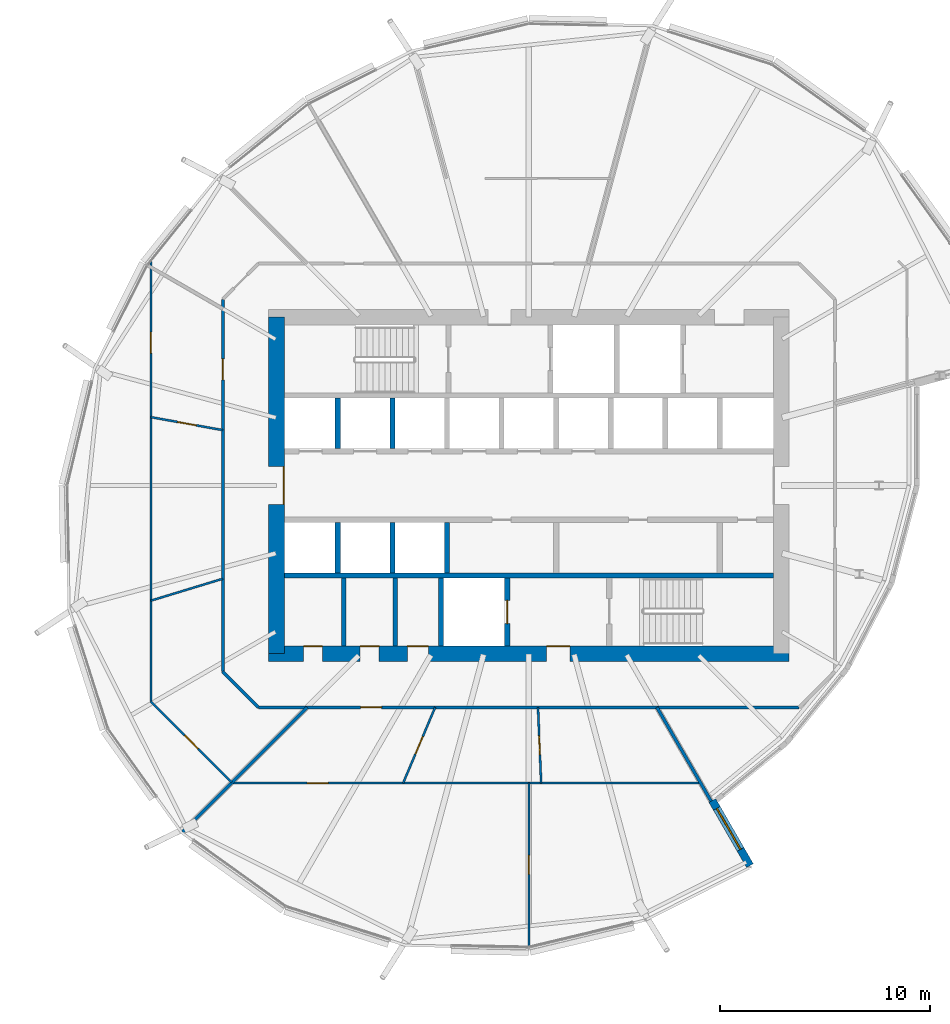
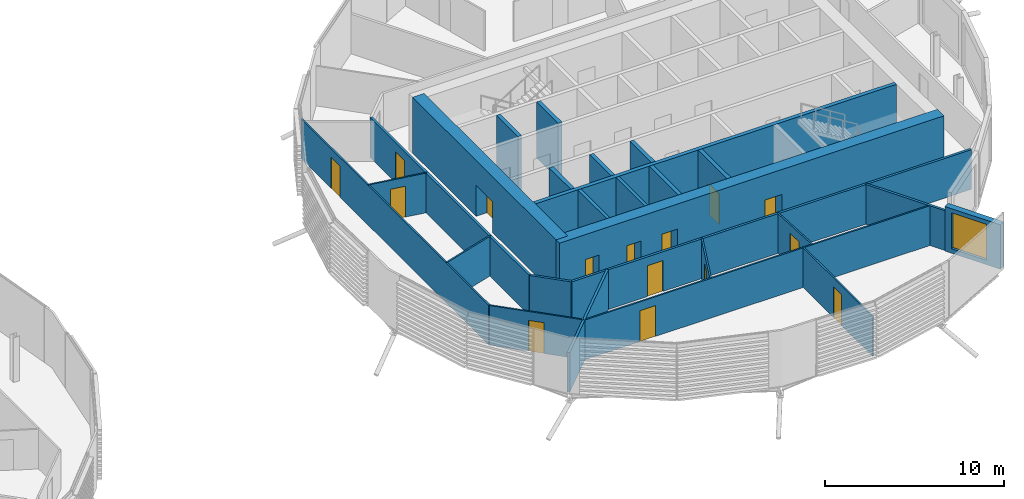
# One storey, part 24 of 38: 27 walls, 15 doors, 1 window, 16 openings.
"""IFC4 building model written with IfcOpenShell, lengths in metres."""

from ifc_helpers import new_model, si_unit, direction, frame, frame_2d, origin, place, context, subcontext, project, spatial, rectangle, extrude, material, layer, layer_set, type_object, element, fill, save


model = new_model("IFC4")

# Units and contexts
model_context = context("Model", 3, precision=1e-05, world=origin(), true_north=direction((0.0, 1.0)))
body_context = subcontext(model_context, "Body", "Model", "MODEL_VIEW")
ifc_project = project(units=[si_unit("LENGTHUNIT", "METRE"), si_unit("AREAUNIT", "SQUARE_METRE"), si_unit("VOLUMEUNIT", "CUBIC_METRE"), si_unit("PLANEANGLEUNIT", "RADIAN"), si_unit("MASSUNIT", "GRAM", prefix="KILO")], contexts=[model_context])

# Site, building, storey
site_placement = place(None, origin())
site = spatial("IfcSite", under=ifc_project, at=site_placement, CompositionType="ELEMENT")
building_placement = place(site_placement, origin())
building = spatial("IfcBuilding", under=site, at=building_placement, Name="Rimbun Link Towers", CompositionType="ELEMENT")
storey_placement = place(building_placement, frame((0.0, 0.0, 108.199951171875)))
storey = spatial("IfcBuildingStorey", under=building, at=storey_placement, Name="L26", CompositionType="ELEMENT", Elevation=108.199951171875)

# Wall, opening, window
ifc_material_1 = material(Name="Dark enamelled glass spandrel on insulated aluminium backpan", Category="aluminium")
ifc_layer_1 = layer(ifc_material_1, 0.3701171875)
ifc_layer_set_1 = layer_set([ifc_layer_1], Name="CS dark enamelled spandrel wall 370")
wall_type_1 = type_object("IfcWallType", Name="CS dark enamelled spandrel wall 370", PredefinedType="STANDARD", material=ifc_layer_set_1)
wall_1_placement = place(storey_placement, frame((40.4716796875, -14.976318359375, 0.0), z_axis=(0.0, 0.0, 1.0), x_axis=(0.500011709085, -0.866018643436, 0.0)))
wall_1 = element("IfcWall", 1, at=wall_1_placement, inside=storey, type_object=wall_type_1, Name="Crease spandrel wall", PredefinedType="STANDARD", context=body_context, shape_type="SweptSolid", body=[
    extrude(rectangle(XDim=3.580078125, YDim=0.3701171875, at=frame_2d((1.7900390625, 0.0))), origin(), (0.0, 0.0, 1.0), 3.02734375),
])
opening_1_placement = place(wall_1_placement, frame((0.43505859375, 0.0, 0.300048828125)))
opening_1 = element("IfcOpeningElement", 2, at=opening_1_placement, cuts=wall_1, Name="Opening WR22H245", PredefinedType="OPENING", context=body_context, shape_type="SweptSolid", body=[
    extrude(rectangle(XDim=2.25, YDim=2.449951171875, at=frame_2d((1.125, 1.22509765625))), frame((0.0, 0.195068359375, 0.0), z_axis=(0.0, -1.0, 0.0), x_axis=(1.0, 0.0, 0.0)), (0.0, 0.0, 1.0), 0.39013671875),
])
ifc_material_2 = material(Name="Aluminium framed fixed window, dark tinted low-e glass", Category="aluminium")
window_type = type_object("IfcWindowType", Name="WR ribbon window 2250X2450", PartitioningType="SINGLE_PANEL", PredefinedType="WINDOW", material=ifc_material_2)
window_placement = place(opening_1_placement, origin())
window = element("IfcWindow", 3, at=window_placement, inside=storey, type_object=window_type, Name="Crease ribbon window", OverallHeight=2.449951171875, OverallWidth=2.25, PartitioningType="SINGLE_PANEL", PredefinedType="WINDOW", context=body_context, shape_type="SweptSolid", body=[
    extrude(rectangle(XDim=2.25, YDim=2.449951171875, at=frame_2d((1.125, 1.22509765625))), frame((0.0, 0.030029296875, 0.0), z_axis=(0.0, -1.0, 0.0), x_axis=(1.0, 0.0, 0.0)), (0.0, 0.0, 1.0), 0.06005859375),
])
fill(opening_1, window)

# Walls
ifc_material_3 = material(Name="Masonry blockwork", Category="masonry")
ifc_layer_2 = layer(ifc_material_3, 0.199951171875)
ifc_layer_set_2 = layer_set([ifc_layer_2], Name="Core partition 200")
wall_type_2 = type_object("IfcWallType", Name="Core partition 200", PredefinedType="PARTITIONING", material=ifc_layer_set_2)
for number, where, z_axis, x_axis, name in (
    (4, (22.949951171875, -4.39990234375, 0.0), (0.0, 0.0, 1.0), (0.0, -1.0, 0.0), "L26 T2 core wall C1"),
    (5, (25.39990234375, -4.39990234375, 0.0), (0.0, 0.0, 1.0), (0.0, -1.0, 0.0), "L26 T2 core wall C2"),
):
    element("IfcWall", number, at=place(storey_placement, frame(where, z_axis=z_axis, x_axis=x_axis)), inside=storey, type_object=wall_type_2, Name=name, PredefinedType="PARTITIONING", context=body_context, shape_type="SweptSolid", body=[
        extrude(rectangle(XDim=3.22509765625, YDim=0.199951171875, at=frame_2d((1.612548828125, 0.0))), origin(), (0.0, 0.0, 1.0), 3.800048828125),
    ])

# Wall, openings, doors
ifc_material_4 = material(Name="Concrete C60/75", Category="concrete")
ifc_layer_3 = layer(ifc_material_4, 0.75)
ifc_layer_set_3 = layer_set([ifc_layer_3], Name="Core shear wall 750")
wall_type_3 = type_object("IfcWallType", Name="Core shear wall 750", PredefinedType="SHEAR", material=ifc_layer_set_3)
wall_2_placement = place(storey_placement, frame((19.375, -8.0, 0.0), z_axis=(0.0, 0.0, 1.0), x_axis=(1.0, 0.0, 0.0)))
wall_2 = element("IfcWall", 6, at=wall_2_placement, inside=storey, type_object=wall_type_3, Name="L26 T2 core wall S", PredefinedType="SHEAR", context=body_context, shape_type="SweptSolid", body=[
    extrude(rectangle(XDim=24.75, YDim=0.75, at=frame_2d((12.375, 0.0))), origin(), (0.0, 0.0, 1.0), 3.800048828125),
])
opening_2_placement = place(wall_2_placement, frame((13.22509765625, 0.0, 0.0)))
opening_2 = element("IfcOpeningElement", 7, at=opening_2_placement, cuts=wall_2, Name="Opening C2DCF01S", PredefinedType="OPENING", context=body_context, shape_type="SweptSolid", body=[
    extrude(rectangle(XDim=1.10009765625, YDim=2.10009765625, at=frame_2d((0.550048828125, 1.050048828125))), frame((0.0, 0.385009765625, 0.0), z_axis=(0.0, -1.0, 0.0), x_axis=(1.0, 0.0, 0.0)), (0.0, 0.0, 1.0), 0.77001953125),
])
opening_3_placement = place(wall_2_placement, frame((1.66259765625, 0.0, 0.0)))
opening_3 = element("IfcOpeningElement", 8, at=opening_3_placement, cuts=wall_2, Name="Opening C2DWC02S", PredefinedType="OPENING", context=body_context, shape_type="SweptSolid", body=[
    extrude(rectangle(XDim=0.89990234375, YDim=2.10009765625, at=frame_2d((0.449951171875, 1.050048828125))), frame((0.0, 0.385009765625, 0.0), z_axis=(0.0, -1.0, 0.0), x_axis=(1.0, 0.0, 0.0)), (0.0, 0.0, 1.0), 0.77001953125),
])
opening_4_placement = place(wall_2_placement, frame((4.35009765625, 0.0, 0.0)))
opening_4 = element("IfcOpeningElement", 9, at=opening_4_placement, cuts=wall_2, Name="Opening C2DWC03S", PredefinedType="OPENING", context=body_context, shape_type="SweptSolid", body=[
    extrude(rectangle(XDim=0.89990234375, YDim=2.10009765625, at=frame_2d((0.449951171875, 1.050048828125))), frame((0.0, 0.385009765625, 0.0), z_axis=(0.0, -1.0, 0.0), x_axis=(1.0, 0.0, 0.0)), (0.0, 0.0, 1.0), 0.77001953125),
])
opening_5_placement = place(wall_2_placement, frame((6.60009765625, 0.0, 0.0)))
opening_5 = element("IfcOpeningElement", 10, at=opening_5_placement, cuts=wall_2, Name="Opening C2DAW04S", PredefinedType="OPENING", context=body_context, shape_type="SweptSolid", body=[
    extrude(rectangle(XDim=1.0, YDim=2.10009765625, at=frame_2d((0.5, 1.050048828125))), frame((0.0, 0.385009765625, 0.0), z_axis=(0.0, -1.0, 0.0), x_axis=(1.0, 0.0, 0.0)), (0.0, 0.0, 1.0), 0.77001953125),
])
ifc_material_5 = material(Name="Timber", Category="wood")
door_type_1 = type_object("IfcDoorType", Name="Accessible WC door", OperationType="SINGLE_SWING_LEFT", PredefinedType="DOOR", material=ifc_material_5)
door_1_placement = place(opening_5_placement, origin())
door_1 = element("IfcDoor", 11, at=door_1_placement, inside=storey, type_object=door_type_1, Name="L26 T2 accessible wc door", OperationType="SINGLE_SWING_LEFT", OverallHeight=2.10009765625, OverallWidth=1.0, PredefinedType="DOOR", context=body_context, shape_type="SweptSolid", body=[
    extrude(rectangle(XDim=1.0, YDim=2.10009765625, at=frame_2d((0.5, 1.050048828125))), frame((0.0, 0.375, 0.0), z_axis=(0.0, -1.0, 0.0), x_axis=(1.0, 0.0, 0.0)), (0.0, 0.0, 1.0), 0.050048828125),
])
fill(opening_5, door_1)
ifc_material_6 = material(Name="Steel fire door set", Category="steel")
door_type_2 = type_object("IfcDoorType", Name="Core fire door single", OperationType="SINGLE_SWING_LEFT", PredefinedType="DOOR", material=ifc_material_6)
door_2_placement = place(opening_2_placement, origin())
door_2 = element("IfcDoor", 12, at=door_2_placement, inside=storey, type_object=door_type_2, Name="L26 T2 firefighting lobby s door", OperationType="SINGLE_SWING_RIGHT", OverallHeight=2.10009765625, OverallWidth=1.10009765625, PredefinedType="DOOR", context=body_context, shape_type="SweptSolid", body=[
    extrude(rectangle(XDim=1.10009765625, YDim=2.10009765625, at=frame_2d((0.550048828125, 1.050048828125))), frame((0.0, 0.375, 0.0), z_axis=(0.0, -1.0, 0.0), x_axis=(1.0, 0.0, 0.0)), (0.0, 0.0, 1.0), 0.050048828125),
])
fill(opening_2, door_2)
ifc_material_7 = material(Name="Timber", Category="wood")
door_type_3 = type_object("IfcDoorType", Name="WC door", OperationType="SINGLE_SWING_LEFT", PredefinedType="DOOR", material=ifc_material_7)
door_3_placement = place(opening_3_placement, origin())
door_3 = element("IfcDoor", 13, at=door_3_placement, inside=storey, type_object=door_type_3, Name="L26 T2 male wc door", OperationType="SINGLE_SWING_RIGHT", OverallHeight=2.10009765625, OverallWidth=0.89990234375, PredefinedType="DOOR", context=body_context, shape_type="SweptSolid", body=[
    extrude(rectangle(XDim=0.89990234375, YDim=2.10009765625, at=frame_2d((0.449951171875, 1.050048828125))), frame((0.0, 0.375, 0.0), z_axis=(0.0, -1.0, 0.0), x_axis=(1.0, 0.0, 0.0)), (0.0, 0.0, 1.0), 0.050048828125),
])
fill(opening_3, door_3)
door_4_placement = place(opening_4_placement, origin())
door_4 = element("IfcDoor", 14, at=door_4_placement, inside=storey, type_object=door_type_3, Name="L26 T2 female wc door", OperationType="SINGLE_SWING_RIGHT", OverallHeight=2.10009765625, OverallWidth=0.89990234375, PredefinedType="DOOR", context=body_context, shape_type="SweptSolid", body=[
    extrude(rectangle(XDim=0.89990234375, YDim=2.10009765625, at=frame_2d((0.449951171875, 1.050048828125))), frame((0.0, 0.375, 0.0), z_axis=(0.0, -1.0, 0.0), x_axis=(1.0, 0.0, 0.0)), (0.0, 0.0, 1.0), 0.050048828125),
])
fill(opening_4, door_4)

# Wall, opening, door
wall_3_placement = place(storey_placement, frame((19.75, -8.0, 0.0), z_axis=(0.0, 0.0, 1.0), x_axis=(0.0, 1.0, 0.0)))
wall_3 = element("IfcWall", 15, at=wall_3_placement, inside=storey, type_object=wall_type_3, Name="L26 T2 core wall W", PredefinedType="SHEAR", context=body_context, shape_type="SweptSolid", body=[
    extrude(rectangle(XDim=16.0, YDim=0.75, at=frame_2d((8.0, 0.0))), origin(), (0.0, 0.0, 1.0), 3.800048828125),
])
opening_6_placement = place(wall_3_placement, frame((7.10009765625, 0.0, 0.0)))
opening_6 = element("IfcOpeningElement", 16, at=opening_6_placement, cuts=wall_3, Name="Opening C2DCL01W", PredefinedType="OPENING", context=body_context, shape_type="SweptSolid", body=[
    extrude(rectangle(XDim=1.800048828125, YDim=2.10009765625, at=frame_2d((0.89990234375, 1.050048828125))), frame((0.0, 0.385009765625, 0.0), z_axis=(0.0, -1.0, 0.0), x_axis=(1.0, 0.0, 0.0)), (0.0, 0.0, 1.0), 0.77001953125),
])
ifc_material_8 = material(Name="Steel fire door set", Category="steel")
door_type_4 = type_object("IfcDoorType", Name="Core lobby door double", OperationType="DOUBLE_DOOR_SINGLE_SWING", PredefinedType="DOOR", material=ifc_material_8)
door_5_placement = place(opening_6_placement, origin())
door_5 = element("IfcDoor", 17, at=door_5_placement, inside=storey, type_object=door_type_4, Name="L26 T2 lift lobby door", OperationType="DOUBLE_DOOR_SINGLE_SWING", OverallHeight=2.10009765625, OverallWidth=1.800048828125, PredefinedType="DOOR", context=body_context, shape_type="SweptSolid", body=[
    extrude(rectangle(XDim=1.800048828125, YDim=2.10009765625, at=frame_2d((0.89990234375, 1.050048828125))), frame((0.0, -0.3251953125, 0.0), z_axis=(0.0, -1.0, 0.0), x_axis=(1.0, 0.0, 0.0)), (0.0, 0.0, 1.0), 0.050048828125),
])
fill(opening_6, door_5)

ifc_material_9 = material(Name="Plasterboard on steel stud, mineral wool", Category="steel")
ifc_layer_4 = layer(ifc_material_9, 0.14990234375)
ifc_layer_set_4 = layer_set([ifc_layer_4], Name="Corridor wall EI 30 150 mm")
wall_type_4 = type_object("IfcWallType", Name="Corridor wall EI 30 150 mm", PredefinedType="PARTITIONING", material=ifc_layer_set_4)
wall_4_placement = place(storey_placement, frame((44.601806640625, -10.550048828125, 0.0), z_axis=(0.0, 0.0, 1.0), x_axis=(-1.0, 0.0, 0.0)))
wall_4 = element("IfcWall", 18, at=wall_4_placement, inside=storey, type_object=wall_type_4, Name="Corridor wall EI 30 150 mm", PredefinedType="PARTITIONING", context=body_context, shape_type="SweptSolid", body=[
    extrude(rectangle(XDim=25.70361328125, YDim=0.14990234375, at=frame_2d((12.851806640625, 0.0))), origin(), (0.0, 0.0, 1.0), 2.7021484375),
])
opening_7_placement = place(wall_4_placement, frame((19.855224609375, 0.0, 0.0)))
opening_7 = element("IfcOpeningElement", 19, at=opening_7_placement, cuts=wall_4, Name="Opening D01", PredefinedType="OPENING", context=body_context, shape_type="SweptSolid", body=[
    extrude(rectangle(XDim=1.0, YDim=2.10009765625, at=frame_2d((0.5, 1.050048828125))), frame((0.0, 0.0849609375, 0.0), z_axis=(0.0, -1.0, 0.0), x_axis=(1.0, 0.0, 0.0)), (0.0, 0.0, 1.0), 0.169921875),
])
ifc_material_10 = material(Name="Fire-resisting timber door leaf", Category="wood")
door_type_5 = type_object("IfcDoorType", Name="Fire door FD30S 1000", OperationType="NOTDEFINED", PredefinedType="DOOR", material=ifc_material_10)
door_6_placement = place(opening_7_placement, origin())
door_6 = element("IfcDoor", 20, at=door_6_placement, inside=storey, type_object=door_type_5, Name="Fire door FD30S 1000 to Reception", OperationType="SINGLE_SWING_RIGHT", OverallHeight=2.10009765625, OverallWidth=1.0, PredefinedType="DOOR", context=body_context, shape_type="SweptSolid", body=[
    extrude(rectangle(XDim=1.0, YDim=2.10009765625, at=frame_2d((0.5, 1.050048828125))), frame((0.0, 0.02490234375, 0.0), z_axis=(0.0, -1.0, 0.0), x_axis=(1.0, 0.0, 0.0)), (0.0, 0.0, 1.0), 0.050048828125),
])
fill(opening_7, door_6)

# Wall
wall_5_placement = place(storey_placement, frame((17.199951171875, -8.851806640625, 0.0), z_axis=(0.0, 0.0, 1.0), x_axis=(0.707106781187, -0.707106781187, 0.0)))
element("IfcWall", 21, at=wall_5_placement, inside=storey, type_object=wall_type_4, Name="Corridor wall EI 30 150 mm", PredefinedType="PARTITIONING", context=body_context, shape_type="SweptSolid", body=[
    extrude(rectangle(XDim=2.401611328125, YDim=0.14990234375, at=frame_2d((1.20068359375, 0.0))), origin(), (0.0, 0.0, 1.0), 2.7021484375),
])

# Wall, opening, door
wall_6_placement = place(storey_placement, frame((17.199951171875, -8.851806640625, 0.0), z_axis=(0.0, 0.0, 1.0), x_axis=(0.0, 1.0, 0.0)))
wall_6 = element("IfcWall", 22, at=wall_6_placement, inside=storey, type_object=wall_type_4, Name="Corridor wall EI 30 150 mm", PredefinedType="PARTITIONING", context=body_context, shape_type="SweptSolid", body=[
    extrude(rectangle(XDim=17.70361328125, YDim=0.14990234375, at=frame_2d((8.851806640625, 0.0))), origin(), (0.0, 0.0, 1.0), 2.7021484375),
])
opening_8_placement = place(wall_6_placement, frame((13.86767578125, 0.0, 0.0)))
opening_8 = element("IfcOpeningElement", 23, at=opening_8_placement, cuts=wall_6, Name="Opening D01", PredefinedType="OPENING", context=body_context, shape_type="SweptSolid", body=[
    extrude(rectangle(XDim=1.0, YDim=2.10009765625, at=frame_2d((0.5, 1.050048828125))), frame((0.0, 0.0849609375, 0.0), z_axis=(0.0, -1.0, 0.0), x_axis=(1.0, 0.0, 0.0)), (0.0, 0.0, 1.0), 0.169921875),
])
door_7_placement = place(opening_8_placement, origin())
door_7 = element("IfcDoor", 24, at=door_7_placement, inside=storey, type_object=door_type_5, Name="Fire door FD30S 1000 to Reception", OperationType="SINGLE_SWING_LEFT", OverallHeight=2.10009765625, OverallWidth=1.0, PredefinedType="DOOR", context=body_context, shape_type="SweptSolid", body=[
    extrude(rectangle(XDim=1.0, YDim=2.10009765625, at=frame_2d((0.5, 1.050048828125))), frame((0.0, 0.02490234375, 0.0), z_axis=(0.0, -1.0, 0.0), x_axis=(1.0, 0.0, 0.0)), (0.0, 0.0, 1.0), 0.050048828125),
])
fill(opening_8, door_7)

ifc_material_11 = material(Name="Plasterboard on steel stud", Category="steel")
ifc_layer_5 = layer(ifc_material_11, 0.10009765625)
ifc_layer_set_5 = layer_set([ifc_layer_5], Name="Plasterboard partition 100 mm")
wall_type_5 = type_object("IfcWallType", Name="Plasterboard partition 100 mm", PredefinedType="PARTITIONING", material=ifc_layer_set_5)
wall_7_placement = place(storey_placement, frame((17.199951171875, 2.63134765625, 0.0), z_axis=(0.0, 0.0, 1.0), x_axis=(-0.984029121171, 0.178007552331, 0.0)))
wall_7 = element("IfcWall", 25, at=wall_7_placement, inside=storey, type_object=wall_type_5, Name="Plasterboard partition 100 mm", PredefinedType="PARTITIONING", context=body_context, shape_type="SweptSolid", body=[
    extrude(rectangle(XDim=3.475341796875, YDim=0.10009765625, at=frame_2d((1.73779296875, 0.0))), origin(), (0.0, 0.0, 1.0), 2.7021484375),
])
opening_9_placement = place(wall_7_placement, frame((1.28759765625, 0.0, 0.0)))
opening_9 = element("IfcOpeningElement", 26, at=opening_9_placement, cuts=wall_7, Name="Opening D04", PredefinedType="OPENING", context=body_context, shape_type="SweptSolid", body=[
    extrude(rectangle(XDim=0.89990234375, YDim=2.10009765625, at=frame_2d((0.449951171875, 1.050048828125))), frame((0.0, 0.06005859375, 0.0), z_axis=(0.0, -1.0, 0.0), x_axis=(1.0, 0.0, 0.0)), (0.0, 0.0, 1.0), 0.1201171875),
])
ifc_material_12 = material(Name="Timber door leaf", Category="wood")
door_type_6 = type_object("IfcDoorType", Name="Flush door 900", OperationType="NOTDEFINED", PredefinedType="DOOR", material=ifc_material_12)
door_8_placement = place(opening_9_placement, origin())
door_8 = element("IfcDoor", 27, at=door_8_placement, inside=storey, type_object=door_type_6, Name="Flush door 900 to Meeting room", OperationType="SINGLE_SWING_LEFT", OverallHeight=2.10009765625, OverallWidth=0.89990234375, PredefinedType="DOOR", context=body_context, shape_type="SweptSolid", body=[
    extrude(rectangle(XDim=0.89990234375, YDim=2.10009765625, at=frame_2d((0.449951171875, 1.050048828125))), frame((0.0, 0.02490234375, 0.0), z_axis=(0.0, -1.0, 0.0), x_axis=(1.0, 0.0, 0.0)), (0.0, 0.0, 1.0), 0.050048828125),
])
fill(opening_9, door_8)

wall_8_placement = place(storey_placement, frame((13.780029296875, -10.268310546875, 0.0), z_axis=(0.0, 0.0, 1.0), x_axis=(0.0, 1.0, 0.0)))
wall_8 = element("IfcWall", 28, at=wall_8_placement, inside=storey, type_object=wall_type_5, Name="Plasterboard partition 100 mm", PredefinedType="PARTITIONING", context=body_context, shape_type="SweptSolid", body=[
    extrude(rectangle(XDim=20.94189453125, YDim=0.10009765625, at=frame_2d((10.470947265625, 0.0))), origin(), (0.0, 0.0, 1.0), 2.7021484375),
])
opening_10_placement = place(wall_8_placement, frame((16.565673828125, 0.0, 0.0)))
opening_10 = element("IfcOpeningElement", 29, at=opening_10_placement, cuts=wall_8, Name="Opening D03", PredefinedType="OPENING", context=body_context, shape_type="SweptSolid", body=[
    extrude(rectangle(XDim=1.0, YDim=2.10009765625, at=frame_2d((0.5, 1.050048828125))), frame((0.0, 0.06005859375, 0.0), z_axis=(0.0, -1.0, 0.0), x_axis=(1.0, 0.0, 0.0)), (0.0, 0.0, 1.0), 0.1201171875),
])
ifc_material_13 = material(Name="Timber door leaf", Category="wood")
door_type_7 = type_object("IfcDoorType", Name="Flush door 1000", OperationType="NOTDEFINED", PredefinedType="DOOR", material=ifc_material_13)
door_9_placement = place(opening_10_placement, origin())
door_9 = element("IfcDoor", 30, at=door_9_placement, inside=storey, type_object=door_type_7, Name="Flush door 1000 to Open office", OperationType="SINGLE_SWING_RIGHT", OverallHeight=2.10009765625, OverallWidth=1.0, PredefinedType="DOOR", context=body_context, shape_type="SweptSolid", body=[
    extrude(rectangle(XDim=1.0, YDim=2.10009765625, at=frame_2d((0.5, 1.050048828125))), frame((0.0, 0.02490234375, 0.0), z_axis=(0.0, -1.0, 0.0), x_axis=(1.0, 0.0, 0.0)), (0.0, 0.0, 1.0), 0.050048828125),
])
fill(opening_10, door_9)

# Wall
wall_9_placement = place(storey_placement, frame((13.780029296875, -5.475341796875, 0.0), z_axis=(0.0, 0.0, 1.0), x_axis=(0.95656547639, 0.291517562729, 0.0)))
element("IfcWall", 31, at=wall_9_placement, inside=storey, type_object=wall_type_5, Name="Plasterboard partition 100 mm", PredefinedType="PARTITIONING", context=body_context, shape_type="SweptSolid", body=[
    extrude(rectangle(XDim=3.5751953125, YDim=0.10009765625, at=frame_2d((1.78759765625, 0.0))), origin(), (0.0, 0.0, 1.0), 2.7021484375),
])

# Wall, opening, door
wall_10_placement = place(storey_placement, frame((13.780029296875, -10.268310546875, 0.0), z_axis=(0.0, 0.0, 1.0), x_axis=(0.707106781187, -0.707106781187, 0.0)))
wall_10 = element("IfcWall", 32, at=wall_10_placement, inside=storey, type_object=wall_type_5, Name="Plasterboard partition 100 mm", PredefinedType="PARTITIONING", context=body_context, shape_type="SweptSolid", body=[
    extrude(rectangle(XDim=5.44580078125, YDim=0.10009765625, at=frame_2d((2.722900390625, 0.0))), origin(), (0.0, 0.0, 1.0), 2.7021484375),
])
opening_11_placement = place(wall_10_placement, frame((2.27294921875, 0.0, 0.0)))
opening_11 = element("IfcOpeningElement", 33, at=opening_11_placement, cuts=wall_10, Name="Opening D04", PredefinedType="OPENING", context=body_context, shape_type="SweptSolid", body=[
    extrude(rectangle(XDim=0.89990234375, YDim=2.10009765625, at=frame_2d((0.449951171875, 1.050048828125))), frame((0.0, 0.06005859375, 0.0), z_axis=(0.0, -1.0, 0.0), x_axis=(1.0, 0.0, 0.0)), (0.0, 0.0, 1.0), 0.1201171875),
])
door_10_placement = place(opening_11_placement, origin())
door_10 = element("IfcDoor", 34, at=door_10_placement, inside=storey, type_object=door_type_6, Name="Flush door 900 to Print room", OperationType="SINGLE_SWING_RIGHT", OverallHeight=2.10009765625, OverallWidth=0.89990234375, PredefinedType="DOOR", context=body_context, shape_type="SweptSolid", body=[
    extrude(rectangle(XDim=0.89990234375, YDim=2.10009765625, at=frame_2d((0.449951171875, 1.050048828125))), frame((0.0, 0.02490234375, 0.0), z_axis=(0.0, -1.0, 0.0), x_axis=(1.0, 0.0, 0.0)), (0.0, 0.0, 1.0), 0.050048828125),
])
fill(opening_11, door_10)

wall_11_placement = place(storey_placement, frame((27.29296875, -10.550048828125, 0.0), z_axis=(0.0, 0.0, 1.0), x_axis=(-0.389148768178, -0.921174921622, 0.0)))
wall_11 = element("IfcWall", 35, at=wall_11_placement, inside=storey, type_object=wall_type_5, Name="Plasterboard partition 100 mm", PredefinedType="PARTITIONING", context=body_context, shape_type="SweptSolid", body=[
    extrude(rectangle(XDim=3.907958984375, YDim=0.10009765625, at=frame_2d((1.9541015625, 0.0))), origin(), (0.0, 0.0, 1.0), 2.7021484375),
])
opening_12_placement = place(wall_11_placement, frame((1.50390625, 0.0, 0.0)))
opening_12 = element("IfcOpeningElement", 36, at=opening_12_placement, cuts=wall_11, Name="Opening D04", PredefinedType="OPENING", context=body_context, shape_type="SweptSolid", body=[
    extrude(rectangle(XDim=0.89990234375, YDim=2.10009765625, at=frame_2d((0.449951171875, 1.050048828125))), frame((0.0, 0.06005859375, 0.0), z_axis=(0.0, -1.0, 0.0), x_axis=(1.0, 0.0, 0.0)), (0.0, 0.0, 1.0), 0.1201171875),
])
door_11_placement = place(opening_12_placement, origin())
door_11 = element("IfcDoor", 37, at=door_11_placement, inside=storey, type_object=door_type_6, Name="Flush door 900 to Meeting room", OperationType="SINGLE_SWING_LEFT", OverallHeight=2.10009765625, OverallWidth=0.89990234375, PredefinedType="DOOR", context=body_context, shape_type="SweptSolid", body=[
    extrude(rectangle(XDim=0.89990234375, YDim=2.10009765625, at=frame_2d((0.449951171875, 1.050048828125))), frame((0.0, 0.02490234375, 0.0), z_axis=(0.0, -1.0, 0.0), x_axis=(1.0, 0.0, 0.0)), (0.0, 0.0, 1.0), 0.050048828125),
])
fill(opening_12, door_11)

wall_12_placement = place(storey_placement, frame((31.75, -14.14990234375, 0.0), z_axis=(0.0, 0.0, 1.0), x_axis=(-1.0, 0.0, 0.0)))
wall_12 = element("IfcWall", 38, at=wall_12_placement, inside=storey, type_object=wall_type_5, Name="Plasterboard partition 100 mm", PredefinedType="PARTITIONING", context=body_context, shape_type="SweptSolid", body=[
    extrude(rectangle(XDim=14.14990234375, YDim=0.10009765625, at=frame_2d((7.074951171875, 0.0))), origin(), (0.0, 0.0, 1.0), 2.7021484375),
])
opening_13_placement = place(wall_12_placement, frame((9.547607421875, 0.0, 0.0)))
opening_13 = element("IfcOpeningElement", 39, at=opening_13_placement, cuts=wall_12, Name="Opening D03", PredefinedType="OPENING", context=body_context, shape_type="SweptSolid", body=[
    extrude(rectangle(XDim=1.0, YDim=2.10009765625, at=frame_2d((0.5, 1.050048828125))), frame((0.0, 0.06005859375, 0.0), z_axis=(0.0, -1.0, 0.0), x_axis=(1.0, 0.0, 0.0)), (0.0, 0.0, 1.0), 0.1201171875),
])
door_12_placement = place(opening_13_placement, origin())
door_12 = element("IfcDoor", 40, at=door_12_placement, inside=storey, type_object=door_type_7, Name="Flush door 1000 to Co-working space", OperationType="SINGLE_SWING_RIGHT", OverallHeight=2.10009765625, OverallWidth=1.0, PredefinedType="DOOR", context=body_context, shape_type="SweptSolid", body=[
    extrude(rectangle(XDim=1.0, YDim=2.10009765625, at=frame_2d((0.5, 1.050048828125))), frame((0.0, 0.02490234375, 0.0), z_axis=(0.0, -1.0, 0.0), x_axis=(1.0, 0.0, 0.0)), (0.0, 0.0, 1.0), 0.050048828125),
])
fill(opening_13, door_12)

wall_13_placement = place(storey_placement, frame((32.18505859375, -10.550048828125, 0.0), z_axis=(0.0, 0.0, 1.0), x_axis=(0.041199306643, -0.999150948122, 0.0)))
wall_13 = element("IfcWall", 41, at=wall_13_placement, inside=storey, type_object=wall_type_5, Name="Plasterboard partition 100 mm", PredefinedType="PARTITIONING", context=body_context, shape_type="SweptSolid", body=[
    extrude(rectangle(XDim=3.60302734375, YDim=0.10009765625, at=frame_2d((1.801513671875, 0.0))), origin(), (0.0, 0.0, 1.0), 2.7021484375),
])
opening_14_placement = place(wall_13_placement, frame((1.3515625, 0.0, 0.0)))
opening_14 = element("IfcOpeningElement", 42, at=opening_14_placement, cuts=wall_13, Name="Opening D04", PredefinedType="OPENING", context=body_context, shape_type="SweptSolid", body=[
    extrude(rectangle(XDim=0.89990234375, YDim=2.10009765625, at=frame_2d((0.449951171875, 1.050048828125))), frame((0.0, 0.06005859375, 0.0), z_axis=(0.0, -1.0, 0.0), x_axis=(1.0, 0.0, 0.0)), (0.0, 0.0, 1.0), 0.1201171875),
])
door_13_placement = place(opening_14_placement, origin())
door_13 = element("IfcDoor", 43, at=door_13_placement, inside=storey, type_object=door_type_6, Name="Flush door 900 to Pantry", OperationType="SINGLE_SWING_LEFT", OverallHeight=2.10009765625, OverallWidth=0.89990234375, PredefinedType="DOOR", context=body_context, shape_type="SweptSolid", body=[
    extrude(rectangle(XDim=0.89990234375, YDim=2.10009765625, at=frame_2d((0.449951171875, 1.050048828125))), frame((0.0, 0.02490234375, 0.0), z_axis=(0.0, -1.0, 0.0), x_axis=(1.0, 0.0, 0.0)), (0.0, 0.0, 1.0), 0.050048828125),
])
fill(opening_14, door_13)

# Wall
wall_14_placement = place(storey_placement, frame((31.75, -14.14990234375, 0.0), z_axis=(0.0, 0.0, 1.0), x_axis=(1.0, 0.0, 0.0)))
element("IfcWall", 44, at=wall_14_placement, inside=storey, type_object=wall_type_5, Name="Plasterboard partition 100 mm", PredefinedType="PARTITIONING", context=body_context, shape_type="SweptSolid", body=[
    extrude(rectangle(XDim=8.169677734375, YDim=0.10009765625, at=frame_2d((4.0849609375, 0.0))), origin(), (0.0, 0.0, 1.0), 2.7021484375),
])

# Wall, opening, door
wall_15_placement = place(storey_placement, frame((31.75, -14.14990234375, 0.0), z_axis=(0.0, 0.0, 1.0), x_axis=(0.0, -1.0, 0.0)))
wall_15 = element("IfcWall", 45, at=wall_15_placement, inside=storey, type_object=wall_type_5, Name="Plasterboard partition 100 mm", PredefinedType="PARTITIONING", context=body_context, shape_type="SweptSolid", body=[
    extrude(rectangle(XDim=7.77978515625, YDim=0.10009765625, at=frame_2d((3.889892578125, 0.0))), origin(), (0.0, 0.0, 1.0), 2.7021484375),
])
opening_15_placement = place(wall_15_placement, frame((3.439697265625, 0.0, 0.0)))
opening_15 = element("IfcOpeningElement", 46, at=opening_15_placement, cuts=wall_15, Name="Opening D04", PredefinedType="OPENING", context=body_context, shape_type="SweptSolid", body=[
    extrude(rectangle(XDim=0.89990234375, YDim=2.10009765625, at=frame_2d((0.449951171875, 1.050048828125))), frame((0.0, 0.06005859375, 0.0), z_axis=(0.0, -1.0, 0.0), x_axis=(1.0, 0.0, 0.0)), (0.0, 0.0, 1.0), 0.1201171875),
])
door_14_placement = place(opening_15_placement, origin())
door_14 = element("IfcDoor", 47, at=door_14_placement, inside=storey, type_object=door_type_6, Name="Flush door 900 to Serviced office", OperationType="SINGLE_SWING_LEFT", OverallHeight=2.10009765625, OverallWidth=0.89990234375, PredefinedType="DOOR", context=body_context, shape_type="SweptSolid", body=[
    extrude(rectangle(XDim=0.89990234375, YDim=2.10009765625, at=frame_2d((0.449951171875, 1.050048828125))), frame((0.0, 0.02490234375, 0.0), z_axis=(0.0, -1.0, 0.0), x_axis=(1.0, 0.0, 0.0)), (0.0, 0.0, 1.0), 0.050048828125),
])
fill(opening_15, door_14)

# Walls
ifc_material_14 = material(Name="Concrete C60/75", Category="concrete")
ifc_layer_6 = layer(ifc_material_14, 0.25)
ifc_layer_set_6 = layer_set([ifc_layer_6], Name="Shaft wall 250")
wall_type_6 = type_object("IfcWallType", Name="Shaft wall 250", PredefinedType="SHEAR", material=ifc_layer_set_6)
wall_16_placement = place(storey_placement, frame((20.125, -4.27490234375, 0.0), z_axis=(0.0, 0.0, 1.0), x_axis=(1.0, 0.0, 0.0)))
element("IfcWall", 48, at=wall_16_placement, inside=storey, type_object=wall_type_6, Name="L26 T2 core wall BS", PredefinedType="SHEAR", context=body_context, shape_type="SweptSolid", body=[
    extrude(rectangle(XDim=23.25, YDim=0.25, at=frame_2d((11.625, 0.0))), origin(), (0.0, 0.0, 1.0), 3.800048828125),
])
for number, where, z_axis, x_axis, name in (
    (49, (22.66943359375, 1.75, 0.0), (0.0, 0.0, 1.0), (0.0, 1.0, 0.0), "L26 T2 core wall DN0"),
    (50, (25.263916015625, 1.75, 0.0), (0.0, 0.0, 1.0), (0.0, 1.0, 0.0), "L26 T2 core wall DN1"),
    (51, (22.66943359375, -4.14990234375, 0.0), (0.0, 0.0, 1.0), (0.0, 1.0, 0.0), "L26 T2 core wall DS0"),
    (52, (25.263916015625, -4.14990234375, 0.0), (0.0, 0.0, 1.0), (0.0, 1.0, 0.0), "L26 T2 core wall DS1"),
    (53, (27.8583984375, -4.14990234375, 0.0), (0.0, 0.0, 1.0), (0.0, 1.0, 0.0), "L26 T2 core wall DS2"),
):
    element("IfcWall", number, at=place(storey_placement, frame(where, z_axis=z_axis, x_axis=x_axis)), inside=storey, type_object=wall_type_6, Name=name, PredefinedType="SHEAR", context=body_context, shape_type="SweptSolid", body=[
        extrude(rectangle(XDim=2.39990234375, YDim=0.25, at=frame_2d((1.199951171875, 0.0))), origin(), (0.0, 0.0, 1.0), 3.800048828125),
    ])

# Wall, opening, door
wall_17_placement = place(storey_placement, frame((30.72509765625, -4.39990234375, 0.0), z_axis=(0.0, 0.0, 1.0), x_axis=(0.0, -1.0, 0.0)))
wall_17 = element("IfcWall", 54, at=wall_17_placement, inside=storey, type_object=wall_type_6, Name="L26 T2 core wall B2", PredefinedType="SHEAR", context=body_context, shape_type="SweptSolid", body=[
    extrude(rectangle(XDim=3.22509765625, YDim=0.25, at=frame_2d((1.612548828125, 0.0))), origin(), (0.0, 0.0, 1.0), 3.800048828125),
])
opening_16_placement = place(wall_17_placement, frame((1.0625, 0.0, 0.0)))
opening_16 = element("IfcOpeningElement", 55, at=opening_16_placement, cuts=wall_17, Name="Opening LD-T2-FF2", PredefinedType="OPENING", context=body_context, shape_type="SweptSolid", body=[
    extrude(rectangle(XDim=1.10009765625, YDim=2.10009765625, at=frame_2d((0.550048828125, 1.050048828125))), frame((0.0, 0.135009765625, 0.0), z_axis=(0.0, -1.0, 0.0), x_axis=(1.0, 0.0, 0.0)), (0.0, 0.0, 1.0), 0.27001953125),
])
ifc_material_15 = material(Name="Stainless steel grade 316", Category="steel")
door_type_8 = type_object("IfcDoorType", Name="Lift landing door", OperationType="DOUBLE_DOOR_SLIDING", PredefinedType="DOOR", material=ifc_material_15)
door_15_placement = place(opening_16_placement, origin())
door_15 = element("IfcDoor", 56, at=door_15_placement, inside=storey, type_object=door_type_8, Name="L26 T2 lift FF2 landing door", OperationType="DOUBLE_DOOR_SLIDING", OverallHeight=2.10009765625, OverallWidth=1.10009765625, PredefinedType="DOOR", context=body_context, shape_type="SweptSolid", body=[
    extrude(rectangle(XDim=1.10009765625, YDim=2.10009765625, at=frame_2d((0.550048828125, 1.050048828125))), frame((0.0, 0.02490234375, 0.0), z_axis=(0.0, -1.0, 0.0), x_axis=(1.0, 0.0, 0.0)), (0.0, 0.0, 1.0), 0.050048828125),
])
fill(opening_16, door_15)

# Walls
wall_18_placement = place(storey_placement, frame((27.574951171875, -4.39990234375, 0.0), z_axis=(0.0, 0.0, 1.0), x_axis=(0.0, -1.0, 0.0)))
element("IfcWall", 57, at=wall_18_placement, inside=storey, type_object=wall_type_6, Name="L26 T2 core wall B3", PredefinedType="SHEAR", context=body_context, shape_type="SweptSolid", body=[
    extrude(rectangle(XDim=3.22509765625, YDim=0.25, at=frame_2d((1.612548828125, 0.0))), origin(), (0.0, 0.0, 1.0), 3.800048828125),
])
ifc_material_16 = material(Name="Plasterboard on steel stud, mineral wool", Category="steel")
ifc_layer_7 = layer(ifc_material_16, 0.14990234375)
ifc_layer_set_7 = layer_set([ifc_layer_7], Name="Tenancy separation wall EI 60 150 mm")
wall_type_7 = type_object("IfcWallType", Name="Tenancy separation wall EI 60 150 mm", PredefinedType="PARTITIONING", material=ifc_layer_set_7)
wall_19_placement = place(storey_placement, frame((21.199951171875, -10.550048828125, 0.0), z_axis=(0.0, 0.0, 1.0), x_axis=(-0.707106781187, -0.707106781187, 0.0)))
element("IfcWall", 58, at=wall_19_placement, inside=storey, type_object=wall_type_7, Name="Tenancy separation wall EI 60 150 mm", PredefinedType="PARTITIONING", context=body_context, shape_type="SweptSolid", body=[
    extrude(rectangle(XDim=8.36279296875, YDim=0.14990234375, at=frame_2d((4.181396484375, 0.0))), origin(), (0.0, 0.0, 1.0), 2.7021484375),
])
wall_20_placement = place(storey_placement, frame((37.841064453125, -10.550048828125, 0.0), z_axis=(0.0, 0.0, 1.0), x_axis=(0.499994737591, -0.866028442016, 0.0)))
element("IfcWall", 59, at=wall_20_placement, inside=storey, type_object=wall_type_7, Name="Tenancy separation wall EI 60 150 mm", PredefinedType="PARTITIONING", context=body_context, shape_type="SweptSolid", body=[
    extrude(rectangle(XDim=5.1484375, YDim=0.14990234375, at=frame_2d((2.57421875, 0.0))), origin(), (0.0, 0.0, 1.0), 2.7021484375),
])

save(model, "model.ifc")
